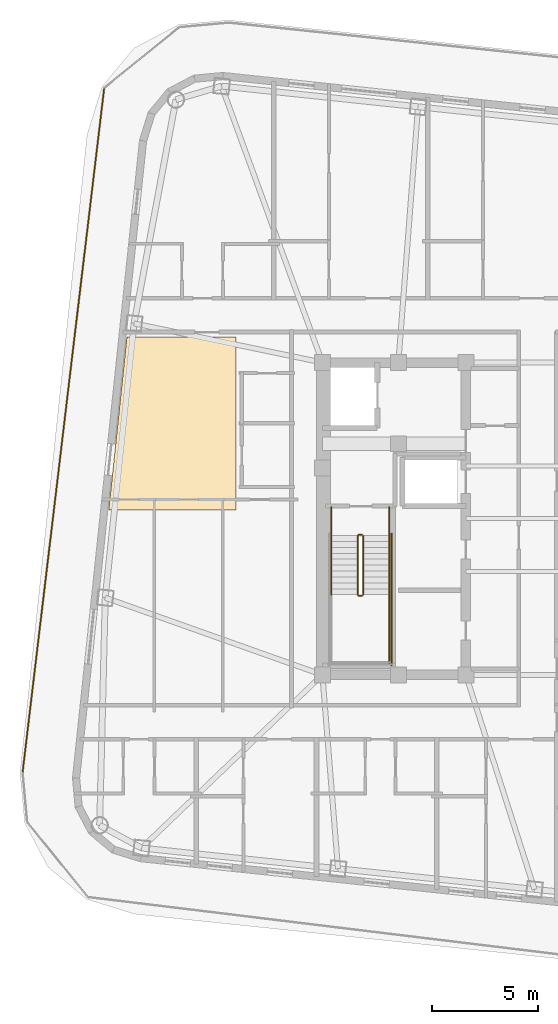
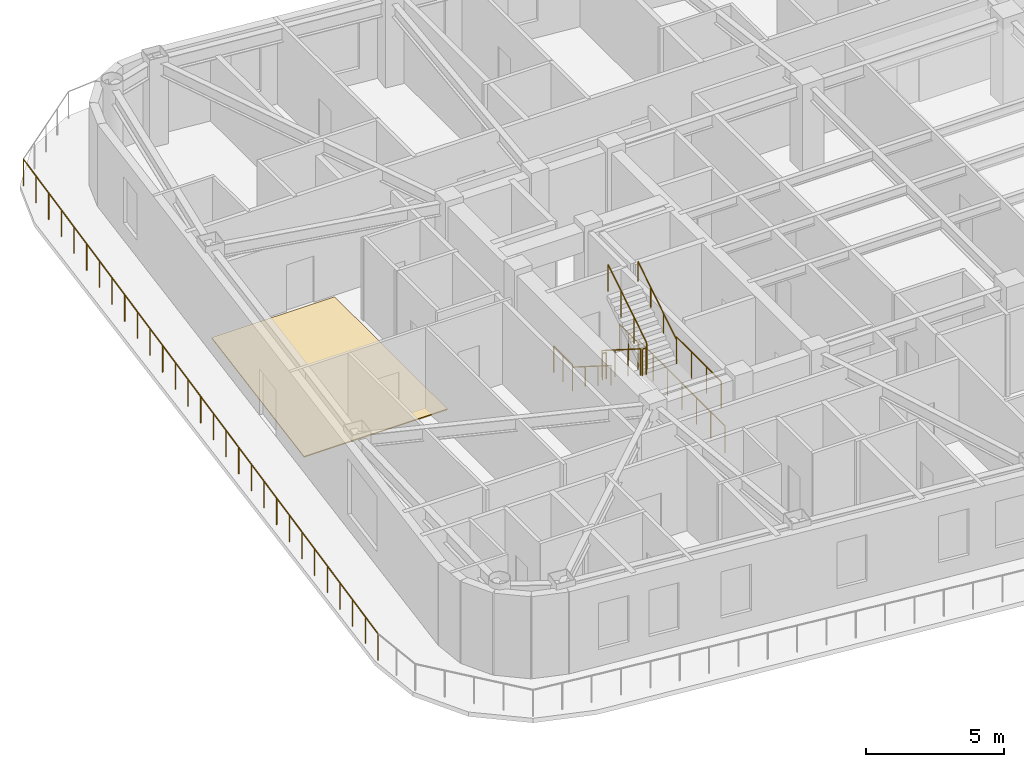
# One storey, part 11 of 14: 11 railings, 1 covering.
"""IFC4 building model written with IfcOpenShell, lengths in metres."""

from ifc_helpers import new_model, si_unit, direction, frame, origin, origin_2d, place, context, subcontext, project, spatial, polyline, circle, outline, extrude, material, layer, layer_set, type_object, element, save


model = new_model("IFC4")

# Units and contexts
model_context = context("Model", 3, precision=1e-05, world=origin(), true_north=direction((0.0, 1.0)))
body_context = subcontext(model_context, "Body", "Model", "MODEL_VIEW")
ifc_project = project(units=[si_unit("LENGTHUNIT", "METRE"), si_unit("AREAUNIT", "SQUARE_METRE"), si_unit("VOLUMEUNIT", "CUBIC_METRE"), si_unit("PLANEANGLEUNIT", "RADIAN"), si_unit("MASSUNIT", "GRAM", prefix="KILO")], contexts=[model_context])

# Site, building, storey
site_placement = place(None, origin())
site = spatial("IfcSite", under=ifc_project, at=site_placement, CompositionType="ELEMENT")
building_placement = place(site_placement, origin())
building = spatial("IfcBuilding", under=site, at=building_placement, Name="Voryun Gate Residences", CompositionType="ELEMENT")
storey_placement = place(building_placement, frame((0.0, 0.0, 291.199951171875)))
storey = spatial("IfcBuildingStorey", under=building, at=storey_placement, Name="L72", CompositionType="ELEMENT", Elevation=291.199951171875)

# Covering
ifc_material_1 = material(Name="Architectural oak flooring")
ifc_layer = layer(ifc_material_1, 0.044921875, Name="COV_FLOOR_ONDOL_OAK")
ifc_layer_set = layer_set([ifc_layer], Name="Architectural oak flooring")
covering_type = type_object("IfcCoveringType", Name="COV_FLOOR_ONDOL_OAK", PredefinedType="FLOORING", material=ifc_layer_set)
covering_placement = place(storey_placement, origin())
element("IfcCovering", 1, at=covering_placement, inside=storey, type_object=covering_type, Name="Ondol oak floor FLR-L72-01", PredefinedType="FLOORING", context=body_context, shape_type="SweptSolid", body=[
    extrude(outline(polyline([(-23.300048828125, 8.6201171875), (-23.300048828125, 0.419921875), (-29.3193359375, 0.419921875), (-28.45751953125, 8.6201171875), (-23.300048828125, 8.6201171875)])), origin(), (0.0, 0.0, 1.0), 0.045166015625),
])

# Railings
ifc_material_2 = material(Name="Anodised aluminium", Category="aluminium")
railing_type_1 = type_object("IfcRailingType", Name="RAIL_BALCONY_GUARD_1200", PredefinedType="GUARDRAIL", material=ifc_material_2)
railing_1_placement = place(storey_placement, frame((-33.40673828125, -12.033935546875, 0.0)))
element("IfcRailing", 2, at=railing_1_placement, inside=storey, type_object=railing_type_1, Name="Terrace guard RL-L72-P1L1-03", PredefinedType="GUARDRAIL", context=body_context, shape_type="SweptSolid", body=[
    extrude(circle(Radius=0.02392578125, at=origin_2d()), frame((0.0, 0.0, 1.17578125), z_axis=(0.118443176494, 0.992960832028, 0.0), x_axis=(-0.992960832028, 0.118443176494, 0.0)), (0.0, 0.0, 1.0), 32.678955078125),
    extrude(circle(Radius=0.02099609375, at=origin_2d()), origin(), (0.0, 0.0, 1.0), 1.15185546875),
    extrude(circle(Radius=0.02099609375, at=origin_2d()), frame((0.13818359375, 1.158935546875, 0.0)), (0.0, 0.0, 1.0), 1.15185546875),
    extrude(circle(Radius=0.02099609375, at=origin_2d()), frame((0.2763671875, 2.31787109375, 0.0)), (0.0, 0.0, 1.0), 1.15185546875),
    extrude(circle(Radius=0.02099609375, at=origin_2d()), frame((0.414794921875, 3.4765625, 0.0)), (0.0, 0.0, 1.0), 1.15185546875),
    extrude(circle(Radius=0.02099609375, at=origin_2d()), frame((0.552978515625, 4.635498046875, 0.0)), (0.0, 0.0, 1.0), 1.15185546875),
    extrude(circle(Radius=0.02099609375, at=origin_2d()), frame((0.691162109375, 5.79443359375, 0.0)), (0.0, 0.0, 1.0), 1.15185546875),
    extrude(circle(Radius=0.02099609375, at=origin_2d()), frame((0.829345703125, 6.953369140625, 0.0)), (0.0, 0.0, 1.0), 1.15185546875),
    extrude(circle(Radius=0.02099609375, at=origin_2d()), frame((0.9677734375, 8.1123046875, 0.0)), (0.0, 0.0, 1.0), 1.15185546875),
    extrude(circle(Radius=0.02099609375, at=origin_2d()), frame((1.10595703125, 9.271240234375, 0.0)), (0.0, 0.0, 1.0), 1.15185546875),
    extrude(circle(Radius=0.02099609375, at=origin_2d()), frame((1.244140625, 10.429931640625, 0.0)), (0.0, 0.0, 1.0), 1.15185546875),
    extrude(circle(Radius=0.02099609375, at=origin_2d()), frame((1.38232421875, 11.5888671875, 0.0)), (0.0, 0.0, 1.0), 1.15185546875),
    extrude(circle(Radius=0.02099609375, at=origin_2d()), frame((1.5205078125, 12.747802734375, 0.0)), (0.0, 0.0, 1.0), 1.15185546875),
    extrude(circle(Radius=0.02099609375, at=origin_2d()), frame((1.658935546875, 13.90673828125, 0.0)), (0.0, 0.0, 1.0), 1.15185546875),
    extrude(circle(Radius=0.02099609375, at=origin_2d()), frame((1.797119140625, 15.065673828125, 0.0)), (0.0, 0.0, 1.0), 1.15185546875),
    extrude(circle(Radius=0.02099609375, at=origin_2d()), frame((1.935302734375, 16.224609375, 0.0)), (0.0, 0.0, 1.0), 1.15185546875),
    extrude(circle(Radius=0.02099609375, at=origin_2d()), frame((2.073486328125, 17.38330078125, 0.0)), (0.0, 0.0, 1.0), 1.15185546875),
    extrude(circle(Radius=0.02099609375, at=origin_2d()), frame((2.211669921875, 18.542236328125, 0.0)), (0.0, 0.0, 1.0), 1.15185546875),
    extrude(circle(Radius=0.02099609375, at=origin_2d()), frame((2.35009765625, 19.701171875, 0.0)), (0.0, 0.0, 1.0), 1.15185546875),
    extrude(circle(Radius=0.02099609375, at=origin_2d()), frame((2.48828125, 20.860107421875, 0.0)), (0.0, 0.0, 1.0), 1.15185546875),
    extrude(circle(Radius=0.02099609375, at=origin_2d()), frame((2.62646484375, 22.01904296875, 0.0)), (0.0, 0.0, 1.0), 1.15185546875),
    extrude(circle(Radius=0.02099609375, at=origin_2d()), frame((2.7646484375, 23.177734375, 0.0)), (0.0, 0.0, 1.0), 1.15185546875),
    extrude(circle(Radius=0.02099609375, at=origin_2d()), frame((2.90283203125, 24.336669921875, 0.0)), (0.0, 0.0, 1.0), 1.15185546875),
    extrude(circle(Radius=0.02099609375, at=origin_2d()), frame((3.041259765625, 25.49560546875, 0.0)), (0.0, 0.0, 1.0), 1.15185546875),
    extrude(circle(Radius=0.02099609375, at=origin_2d()), frame((3.179443359375, 26.654541015625, 0.0)), (0.0, 0.0, 1.0), 1.15185546875),
    extrude(circle(Radius=0.02099609375, at=origin_2d()), frame((3.317626953125, 27.8134765625, 0.0)), (0.0, 0.0, 1.0), 1.15185546875),
    extrude(circle(Radius=0.02099609375, at=origin_2d()), frame((3.455810546875, 28.972412109375, 0.0)), (0.0, 0.0, 1.0), 1.15185546875),
    extrude(circle(Radius=0.02099609375, at=origin_2d()), frame((3.59423828125, 30.131103515625, 0.0)), (0.0, 0.0, 1.0), 1.15185546875),
    extrude(circle(Radius=0.02099609375, at=origin_2d()), frame((3.732421875, 31.2900390625, 0.0)), (0.0, 0.0, 1.0), 1.15185546875),
    extrude(circle(Radius=0.02099609375, at=origin_2d()), frame((3.87060546875, 32.448974609375, 0.0)), (0.0, 0.0, 1.0), 1.15185546875),
])
ifc_material_3 = material(Name="Painted steel", Category="steel")
railing_type_2 = type_object("IfcRailingType", Name="RAIL_STAIR_GUARD_1200", PredefinedType="GUARDRAIL", material=ifc_material_3)
railing_2_placement = place(storey_placement, frame((-17.52490234375, -0.800048828125, 0.17724609375)))
element("IfcRailing", 3, at=railing_2_placement, inside=storey, type_object=railing_type_2, Name="L72 ST-W1 stair guard 1", PredefinedType="GUARDRAIL", context=body_context, shape_type="SweptSolid", body=[
    extrude(circle(Radius=0.02392578125, at=origin_2d()), frame((0.0, 0.0, 1.17578125), z_axis=(0.0, -0.844908973607, 0.534910110503), x_axis=(1.0, 0.0, 0.0)), (0.0, 0.0, 1.0), 3.31396484375),
    extrude(circle(Radius=0.02099609375, at=origin_2d()), origin(), (0.0, 0.0, 1.0), 1.15185546875),
    extrude(circle(Radius=0.02099609375, at=origin_2d()), frame((0.0, -0.933349609375, 0.5908203125)), (0.0, 0.0, 1.0), 1.15185546875),
    extrude(circle(Radius=0.02099609375, at=origin_2d()), frame((0.0, -1.86669921875, 1.181884765625)), (0.0, 0.0, 1.0), 1.15185546875),
    extrude(circle(Radius=0.02099609375, at=origin_2d()), frame((0.0, -2.800048828125, 1.772705078125)), (0.0, 0.0, 1.0), 1.15185546875),
])
railing_3_placement = place(storey_placement, frame((-17.47509765625, -3.64990234375, 1.949951171875)))
element("IfcRailing", 4, at=railing_3_placement, inside=storey, type_object=railing_type_2, Name="L72 ST-W1 stair guard 2", PredefinedType="GUARDRAIL", context=body_context, shape_type="SweptSolid", body=[
    extrude(circle(Radius=0.02392578125, at=origin_2d()), frame((0.0, 0.0, 1.17578125), z_axis=(1.0, 0.0, 0.0), x_axis=(0.0, 1.0, 0.0)), (0.0, 0.0, 1.0), 0.150146484375),
    extrude(circle(Radius=0.02099609375, at=origin_2d()), origin(), (0.0, 0.0, 1.0), 1.15185546875),
    extrude(circle(Radius=0.02099609375, at=origin_2d()), frame((0.150146484375, 0.0, 0.0)), (0.0, 0.0, 1.0), 1.15185546875),
])
railing_4_placement = place(storey_placement, frame((-16.02490234375, -3.60009765625, 1.949951171875)))
element("IfcRailing", 5, at=railing_4_placement, inside=storey, type_object=railing_type_2, Name="L72 ST-W1 stair guard 4", PredefinedType="GUARDRAIL", context=body_context, shape_type="SweptSolid", body=[
    extrude(circle(Radius=0.02392578125, at=origin_2d()), frame((0.0, 0.0, 1.17578125), z_axis=(0.0, -1.0, 0.0), x_axis=(1.0, 0.0, 0.0)), (0.0, 0.0, 1.0), 3.25),
    extrude(circle(Radius=0.02099609375, at=origin_2d()), origin(), (0.0, 0.0, 1.0), 1.15185546875),
    extrude(circle(Radius=0.02099609375, at=origin_2d()), frame((0.0, -1.083251953125, 0.0)), (0.0, 0.0, 1.0), 1.15185546875),
    extrude(circle(Radius=0.02099609375, at=origin_2d()), frame((0.0, -2.166748046875, 0.0)), (0.0, 0.0, 1.0), 1.15185546875),
    extrude(circle(Radius=0.02099609375, at=origin_2d()), frame((0.0, -3.25, 0.0)), (0.0, 0.0, 1.0), 1.15185546875),
])
railing_5_placement = place(storey_placement, frame((-17.27490234375, -3.60009765625, 2.12744140625)))
element("IfcRailing", 6, at=railing_5_placement, inside=storey, type_object=railing_type_2, Name="L72 ST-W1 stair guard 6", PredefinedType="GUARDRAIL", context=body_context, shape_type="SweptSolid", body=[
    extrude(circle(Radius=0.02392578125, at=origin_2d()), frame((0.0, 0.0, 1.17578125), z_axis=(0.0, 0.844908973607, 0.534910110503), x_axis=(-1.0, 0.0, 0.0)), (0.0, 0.0, 1.0), 3.31396484375),
    extrude(circle(Radius=0.02099609375, at=origin_2d()), origin(), (0.0, 0.0, 1.0), 1.15185546875),
    extrude(circle(Radius=0.02099609375, at=origin_2d()), frame((0.0, 0.933349609375, 0.5908203125)), (0.0, 0.0, 1.0), 1.15185546875),
    extrude(circle(Radius=0.02099609375, at=origin_2d()), frame((0.0, 1.86669921875, 1.181884765625)), (0.0, 0.0, 1.0), 1.15185546875),
    extrude(circle(Radius=0.02099609375, at=origin_2d()), frame((0.0, 2.800048828125, 1.772705078125)), (0.0, 0.0, 1.0), 1.15185546875),
])
railing_6_placement = place(storey_placement, frame((-17.47509765625, -0.75, 0.0)))
element("IfcRailing", 7, at=railing_6_placement, inside=storey, type_object=railing_type_2, Name="L72 ST-W1 stair guard 7", PredefinedType="GUARDRAIL", context=body_context, shape_type="SweptSolid", body=[
    extrude(circle(Radius=0.02392578125, at=origin_2d()), frame((0.0, 0.0, 1.17578125), z_axis=(1.0, 0.0, 0.0), x_axis=(0.0, 1.0, 0.0)), (0.0, 0.0, 1.0), 0.150146484375),
    extrude(circle(Radius=0.02099609375, at=origin_2d()), origin(), (0.0, 0.0, 1.0), 1.15185546875),
    extrude(circle(Radius=0.02099609375, at=origin_2d()), frame((0.150146484375, 0.0, 0.0)), (0.0, 0.0, 1.0), 1.15185546875),
])
for number, where, name in (
    (8, (-18.77490234375, 0.550048828125, 0.0), "L72 ST-W1 stair guard 8"),
    (9, (-16.02490234375, 0.550048828125, 0.0), "L72 ST-W1 stair guard 9"),
):
    element("IfcRailing", number, at=place(storey_placement, frame(where)), inside=storey, type_object=railing_type_2, Name=name, PredefinedType="GUARDRAIL", context=body_context, shape_type="SweptSolid", body=[
        extrude(circle(Radius=0.02392578125, at=origin_2d()), frame((0.0, 0.0, 1.17578125), z_axis=(0.0, -1.0, 0.0), x_axis=(1.0, 0.0, 0.0)), (0.0, 0.0, 1.0), 1.35009765625),
        extrude(circle(Radius=0.02099609375, at=origin_2d()), origin(), (0.0, 0.0, 1.0), 1.15185546875),
        extrude(circle(Radius=0.02099609375, at=origin_2d()), frame((0.0, -0.675048828125, 0.0)), (0.0, 0.0, 1.0), 1.15185546875),
        extrude(circle(Radius=0.02099609375, at=origin_2d()), frame((0.0, -1.35009765625, 0.0)), (0.0, 0.0, 1.0), 1.15185546875),
    ])
railing_7_placement = place(storey_placement, frame((-15.925048828125, -0.699951171875, 0.0)))
element("IfcRailing", 10, at=railing_7_placement, inside=storey, type_object=railing_type_2, Name="L72 ST-W1 stair guard 11", PredefinedType="GUARDRAIL", context=body_context, shape_type="SweptSolid", body=[
    extrude(circle(Radius=0.02392578125, at=origin_2d()), frame((0.0, 0.0, 1.17578125), z_axis=(0.0, -1.0, 0.0), x_axis=(1.0, 0.0, 0.0)), (0.0, 0.0, 1.0), 6.25),
    extrude(circle(Radius=0.02099609375, at=origin_2d()), origin(), (0.0, 0.0, 1.0), 1.15185546875),
    extrude(circle(Radius=0.02099609375, at=origin_2d()), frame((0.0, -1.041748046875, 0.0)), (0.0, 0.0, 1.0), 1.15185546875),
    extrude(circle(Radius=0.02099609375, at=origin_2d()), frame((0.0, -2.083251953125, 0.0)), (0.0, 0.0, 1.0), 1.15185546875),
    extrude(circle(Radius=0.02099609375, at=origin_2d()), frame((0.0, -3.125, 0.0)), (0.0, 0.0, 1.0), 1.15185546875),
    extrude(circle(Radius=0.02099609375, at=origin_2d()), frame((0.0, -4.166748046875, 0.0)), (0.0, 0.0, 1.0), 1.15185546875),
    extrude(circle(Radius=0.02099609375, at=origin_2d()), frame((0.0, -5.208251953125, 0.0)), (0.0, 0.0, 1.0), 1.15185546875),
    extrude(circle(Radius=0.02099609375, at=origin_2d()), frame((0.0, -6.25, 0.0)), (0.0, 0.0, 1.0), 1.15185546875),
])
ifc_material_4 = material(Name="Painted steel", Category="steel")
railing_type_3 = type_object("IfcRailingType", Name="RAIL_STAIR_HANDRAIL_900", PredefinedType="HANDRAIL", material=ifc_material_4)
railing_8_placement = place(storey_placement, frame((-18.77490234375, -0.800048828125, 0.17724609375)))
element("IfcRailing", 11, at=railing_8_placement, inside=storey, type_object=railing_type_3, Name="L72 ST-W1 stair handrail 1", PredefinedType="HANDRAIL", context=body_context, shape_type="SweptSolid", body=[
    extrude(circle(Radius=0.02392578125, at=origin_2d()), frame((0.0, 0.0, 0.8759765625), z_axis=(0.0, -0.844908973607, 0.534910110503), x_axis=(1.0, 0.0, 0.0)), (0.0, 0.0, 1.0), 3.31396484375),
    extrude(circle(Radius=0.02099609375, at=origin_2d()), origin(), (0.0, 0.0, 1.0), 0.851806640625),
    extrude(circle(Radius=0.02099609375, at=origin_2d()), frame((0.0, -0.933349609375, 0.5908203125)), (0.0, 0.0, 1.0), 0.851806640625),
    extrude(circle(Radius=0.02099609375, at=origin_2d()), frame((0.0, -1.86669921875, 1.181884765625)), (0.0, 0.0, 1.0), 0.851806640625),
    extrude(circle(Radius=0.02099609375, at=origin_2d()), frame((0.0, -2.800048828125, 1.772705078125)), (0.0, 0.0, 1.0), 0.851806640625),
])
railing_9_placement = place(storey_placement, frame((-16.02490234375, -3.60009765625, 2.12744140625)))
element("IfcRailing", 12, at=railing_9_placement, inside=storey, type_object=railing_type_3, Name="L72 ST-W1 stair handrail 2", PredefinedType="HANDRAIL", context=body_context, shape_type="SweptSolid", body=[
    extrude(circle(Radius=0.02392578125, at=origin_2d()), frame((0.0, 0.0, 0.8759765625), z_axis=(0.0, 0.844908973607, 0.534910110503), x_axis=(-1.0, 0.0, 0.0)), (0.0, 0.0, 1.0), 3.31396484375),
    extrude(circle(Radius=0.02099609375, at=origin_2d()), origin(), (0.0, 0.0, 1.0), 0.851806640625),
    extrude(circle(Radius=0.02099609375, at=origin_2d()), frame((0.0, 0.933349609375, 0.5908203125)), (0.0, 0.0, 1.0), 0.851806640625),
    extrude(circle(Radius=0.02099609375, at=origin_2d()), frame((0.0, 1.86669921875, 1.181884765625)), (0.0, 0.0, 1.0), 0.851806640625),
    extrude(circle(Radius=0.02099609375, at=origin_2d()), frame((0.0, 2.800048828125, 1.772705078125)), (0.0, 0.0, 1.0), 0.851806640625),
])

save(model, "model.ifc")
